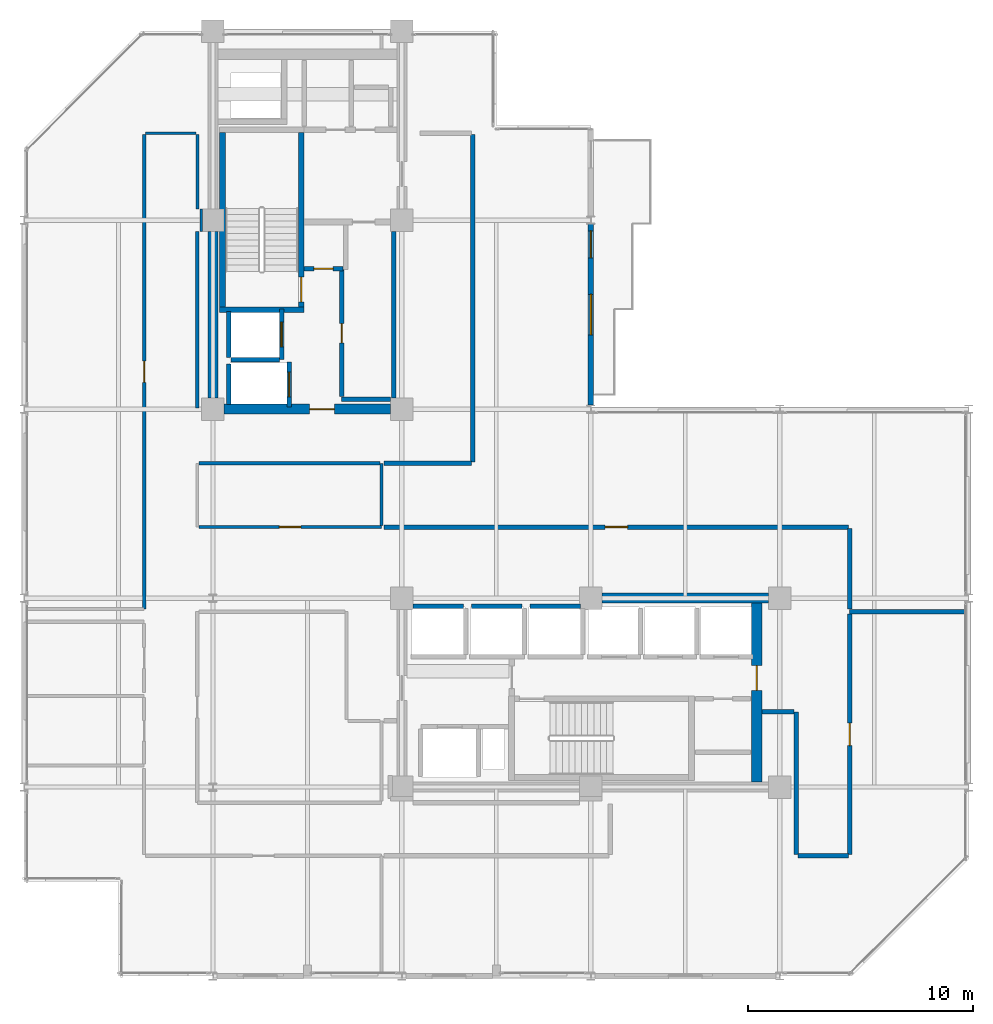
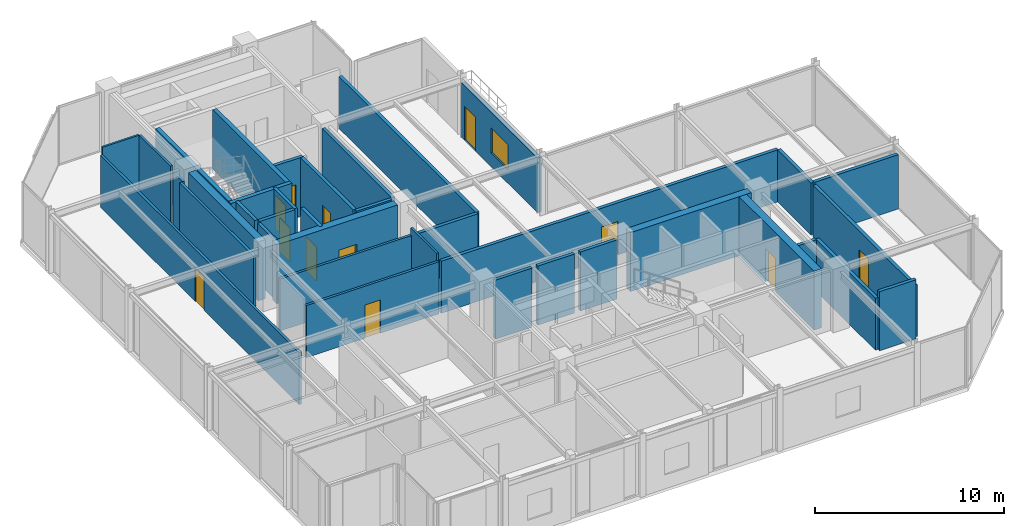
# One storey, part 21 of 25: 37 walls, 12 doors, 1 window, 13 openings.
"""IFC4 building model written with IfcOpenShell, lengths in metres."""

from ifc_helpers import new_model, si_unit, direction, frame, frame_2d, origin, place, context, subcontext, project, spatial, rectangle, extrude, material, layer, layer_set, type_object, element, fill, save


model = new_model("IFC4")

# Units and contexts
model_context = context("Model", 3, precision=1e-05, world=origin(), true_north=direction((0.0, 1.0)))
body_context = subcontext(model_context, "Body", "Model", "MODEL_VIEW")
ifc_project = project(units=[si_unit("LENGTHUNIT", "METRE"), si_unit("AREAUNIT", "SQUARE_METRE"), si_unit("VOLUMEUNIT", "CUBIC_METRE"), si_unit("PLANEANGLEUNIT", "RADIAN"), si_unit("MASSUNIT", "GRAM", prefix="KILO")], contexts=[model_context])

# Site, building, storey
site_placement = place(None, origin())
site = spatial("IfcSite", under=ifc_project, at=site_placement, CompositionType="ELEMENT")
building_placement = place(site_placement, origin())
building = spatial("IfcBuilding", under=site, at=building_placement, Name="Nerrivon Quay Data Exchange", CompositionType="ELEMENT")
storey_placement = place(building_placement, frame((0.0, 0.0, 224.699951171875)))
storey = spatial("IfcBuildingStorey", under=building, at=storey_placement, Name="L53", CompositionType="ELEMENT", Elevation=224.699951171875)

# Wall, openings, door, window
ifc_material_1 = material(Name="Architectural terracotta precast concrete N50 (50 MPa)", Category="masonry")
ifc_layer_1 = layer(ifc_material_1, 0.239990234375)
ifc_layer_set_1 = layer_set([ifc_layer_1], Name="Architectural terracotta precast concrete N50 (50 MPa)")
wall_type_1 = type_object("IfcWallType", Name="EW-PREC-240", PredefinedType="STANDARD", material=ifc_layer_set_1)
wall_1_placement = place(storey_placement, frame((25.199951171875, 33.425048828125, 0.0), z_axis=(0.0, 0.0, 1.0), x_axis=(0.0, -1.0, 0.0)))
wall_1 = element("IfcWall", 1, at=wall_1_placement, inside=storey, type_object=wall_type_1, Name="L53 Terrace Host Wall 23", PredefinedType="STANDARD", context=body_context, shape_type="SweptSolid", body=[
    extrude(rectangle(XDim=8.050048828125, YDim=0.239990234375, at=frame_2d((4.02490234375, 0.0))), origin(), (0.0, 0.0, 1.0), 3.525146484375),
])
opening_1_placement = place(wall_1_placement, frame((0.300048828125, 0.0, 0.0)))
opening_1 = element("IfcOpeningElement", 2, at=opening_1_placement, cuts=wall_1, Name="Opening TD1", PredefinedType="OPENING", context=body_context, shape_type="SweptSolid", body=[
    extrude(rectangle(XDim=1.199951171875, YDim=2.199951171875, at=frame_2d((0.60009765625, 1.10009765625))), frame((0.0, 0.1298828125, 0.0), z_axis=(0.0, -1.0, 0.0), x_axis=(1.0, 0.0, 0.0)), (0.0, 0.0, 1.0), 0.260009765625),
])
opening_2_placement = place(wall_1_placement, frame((3.125, 0.0, 0.89990234375)))
opening_2 = element("IfcOpeningElement", 3, at=opening_2_placement, cuts=wall_1, Name="Opening WN2", PredefinedType="OPENING", context=body_context, shape_type="SweptSolid", body=[
    extrude(rectangle(XDim=1.800048828125, YDim=1.60009765625, at=frame_2d((0.89990234375, 0.800048828125))), frame((0.0, 0.1298828125, 0.0), z_axis=(0.0, -1.0, 0.0), x_axis=(1.0, 0.0, 0.0)), (0.0, 0.0, 1.0), 0.260009765625),
])
ifc_material_2 = material(Name="Double-glazed low-E solar control glass", Category="glass")
door_type_1 = type_object("IfcDoorType", Name="DR-TERR-1200x2200", OperationType="NOTDEFINED", PredefinedType="DOOR", material=ifc_material_2)
door_1_placement = place(opening_1_placement, origin())
door_1 = element("IfcDoor", 4, at=door_1_placement, inside=storey, type_object=door_type_1, Name="L53 Outdoor Terrace Access Door 23", OperationType="SINGLE_SWING_RIGHT", OverallHeight=2.199951171875, OverallWidth=1.199951171875, PredefinedType="DOOR", context=body_context, shape_type="SweptSolid", body=[
    extrude(rectangle(XDim=1.199951171875, YDim=2.199951171875, at=frame_2d((0.60009765625, 1.10009765625))), frame((0.0, 0.02490234375, 0.0), z_axis=(0.0, -1.0, 0.0), x_axis=(1.0, 0.0, 0.0)), (0.0, 0.0, 1.0), 0.050048828125),
])
fill(opening_1, door_1)
window_type = type_object("IfcWindowType", Name="WIN-W2-1800x1600", PartitioningType="SINGLE_PANEL", PredefinedType="WINDOW", material=ifc_material_2)
window_placement = place(opening_2_placement, origin())
window = element("IfcWindow", 5, at=window_placement, inside=storey, type_object=window_type, Name="L53 Terrace Side Window 23", OverallHeight=1.60009765625, OverallWidth=1.800048828125, PartitioningType="SINGLE_PANEL", PredefinedType="WINDOW", context=body_context, shape_type="SweptSolid", body=[
    extrude(rectangle(XDim=1.800048828125, YDim=1.60009765625, at=frame_2d((0.89990234375, 0.800048828125))), frame((0.0, 0.030029296875, 0.0), z_axis=(0.0, -1.0, 0.0), x_axis=(1.0, 0.0, 0.0)), (0.0, 0.0, 1.0), 0.06005859375),
])
fill(opening_2, window)

# Wall
ifc_material_3 = material(Name="Concrete N50 (50 MPa)", Category="concrete")
ifc_layer_2 = layer(ifc_material_3, 0.449951171875)
ifc_layer_set_2 = layer_set([ifc_layer_2], Name="Concrete N50 (50 MPa)")
wall_type_2 = type_object("IfcWallType", Name="WALL-CW-550", PredefinedType="SHEAR", material=ifc_layer_set_2)
wall_2_placement = place(storey_placement, frame((8.39990234375, 25.699951171875, 0.0), z_axis=(0.0, 0.0, 1.0), x_axis=(0.0, 1.0, 0.0)))
element("IfcWall", 6, at=wall_2_placement, inside=storey, type_object=wall_type_2, Name="L53 West Split-Core Shear Wall WCW-W1", PredefinedType="SHEAR", context=body_context, shape_type="SweptSolid", body=[
    extrude(rectangle(XDim=7.400146484375, YDim=0.449951171875, at=frame_2d((3.7001953125, 0.0))), origin(), (0.0, 0.0, 1.0), 3.824951171875),
])

# Wall, opening, door
wall_3_placement = place(storey_placement, frame((8.89990234375, 25.199951171875, 0.0), z_axis=(0.0, 0.0, 1.0), x_axis=(1.0, 0.0, 0.0)))
wall_3 = element("IfcWall", 7, at=wall_3_placement, inside=storey, type_object=wall_type_2, Name="L53 West Split-Core Shear Wall WCW-S1", PredefinedType="SHEAR", context=body_context, shape_type="SweptSolid", body=[
    extrude(rectangle(XDim=7.400146484375, YDim=0.449951171875, at=frame_2d((3.7001953125, 0.0))), origin(), (0.0, 0.0, 1.0), 3.824951171875),
])
opening_3_placement = place(wall_3_placement, frame((3.800048828125, 0.0, 0.0)))
opening_3 = element("IfcOpeningElement", 8, at=opening_3_placement, cuts=wall_3, Name="Opening FD-120", PredefinedType="OPENING", context=body_context, shape_type="SweptSolid", body=[
    extrude(rectangle(XDim=1.10009765625, YDim=2.14990234375, at=frame_2d((0.550048828125, 1.074951171875))), frame((0.0, 0.23486328125, 0.0), z_axis=(0.0, -1.0, 0.0), x_axis=(1.0, 0.0, 0.0)), (0.0, 0.0, 1.0), 0.469970703125),
])
ifc_material_4 = material(Name="Powder-coated galvanized steel sheet", Category="steel")
door_type_2 = type_object("IfcDoorType", Name="DR-FD120-1100", OperationType="NOTDEFINED", PredefinedType="DOOR", material=ifc_material_4)
door_2_placement = place(opening_3_placement, origin())
door_2 = element("IfcDoor", 9, at=door_2_placement, inside=storey, type_object=door_type_2, Name="L53 West Core Lobby Fire Door", OperationType="SINGLE_SWING_RIGHT", OverallHeight=2.14990234375, OverallWidth=1.10009765625, PredefinedType="DOOR", context=body_context, shape_type="SweptSolid", body=[
    extrude(rectangle(XDim=1.10009765625, YDim=2.14990234375, at=frame_2d((0.550048828125, 1.074951171875))), frame((0.0, 0.02490234375, 0.0), z_axis=(0.0, -1.0, 0.0), x_axis=(1.0, 0.0, 0.0)), (0.0, 0.0, 1.0), 0.050048828125),
])
fill(opening_3, door_2)

wall_4_placement = place(storey_placement, frame((32.574951171875, 8.625, 0.0), z_axis=(0.0, 0.0, 1.0), x_axis=(0.0, 1.0, 0.0)))
wall_4 = element("IfcWall", 10, at=wall_4_placement, inside=storey, type_object=wall_type_2, Name="L53 East Split-Core Shear Wall ECW-E1", PredefinedType="SHEAR", context=body_context, shape_type="SweptSolid", body=[
    extrude(rectangle(XDim=7.949951171875, YDim=0.449951171875, at=frame_2d((3.97509765625, 0.0))), origin(), (0.0, 0.0, 1.0), 3.824951171875),
])
opening_4_placement = place(wall_4_placement, frame((4.074951171875, 0.0, 0.0)))
opening_4 = element("IfcOpeningElement", 11, at=opening_4_placement, cuts=wall_4, Name="Opening FD-120", PredefinedType="OPENING", context=body_context, shape_type="SweptSolid", body=[
    extrude(rectangle(XDim=1.10009765625, YDim=2.14990234375, at=frame_2d((0.550048828125, 1.074951171875))), frame((0.0, 0.23486328125, 0.0), z_axis=(0.0, -1.0, 0.0), x_axis=(1.0, 0.0, 0.0)), (0.0, 0.0, 1.0), 0.469970703125),
])
door_3_placement = place(opening_4_placement, origin())
door_3 = element("IfcDoor", 12, at=door_3_placement, inside=storey, type_object=door_type_2, Name="L53 East Core Lobby Fire Door", OperationType="SINGLE_SWING_LEFT", OverallHeight=2.14990234375, OverallWidth=1.10009765625, PredefinedType="DOOR", context=body_context, shape_type="SweptSolid", body=[
    extrude(rectangle(XDim=1.10009765625, YDim=2.14990234375, at=frame_2d((0.550048828125, 1.074951171875))), frame((0.0, 0.02490234375, 0.0), z_axis=(0.0, -1.0, 0.0), x_axis=(1.0, 0.0, 0.0)), (0.0, 0.0, 1.0), 0.050048828125),
])
fill(opening_4, door_3)

# Wall
wall_5_placement = place(storey_placement, frame((25.699951171875, 16.800048828125, 0.0), z_axis=(0.0, 0.0, 1.0), x_axis=(1.0, 0.0, 0.0)))
element("IfcWall", 13, at=wall_5_placement, inside=storey, type_object=wall_type_2, Name="L53 East Split-Core Shear Wall ECW-N1", PredefinedType="SHEAR", context=body_context, shape_type="SweptSolid", body=[
    extrude(rectangle(XDim=7.400146484375, YDim=0.449951171875, at=frame_2d((3.7001953125, 0.0))), origin(), (0.0, 0.0, 1.0), 3.824951171875),
])

# Wall, opening, door
ifc_material_5 = material(Name="Gypsum plasterboard on cold-formed framing", Category="gypsum")
ifc_layer_3 = layer(ifc_material_5, 0.199951171875)
ifc_layer_set_3 = layer_set([ifc_layer_3], Name="Gypsum plasterboard on cold-formed framing")
wall_type_3 = type_object("IfcWallType", Name="WALL-FW-200", PredefinedType="PARTITIONING", material=ifc_layer_set_3)
wall_6_placement = place(storey_placement, frame((11.449951171875, 27.39990234375, 0.0), z_axis=(0.0, 0.0, 1.0), x_axis=(0.0, 1.0, 0.0)))
wall_6 = element("IfcWall", 14, at=wall_6_placement, inside=storey, type_object=wall_type_3, Name="L53 Lift Front Wall FFL-1", PredefinedType="PARTITIONING", context=body_context, shape_type="SweptSolid", body=[
    extrude(rectangle(XDim=2.25, YDim=0.199951171875, at=frame_2d((1.125, 0.0))), origin(), (0.0, 0.0, 1.0), 3.824951171875),
])
opening_5_placement = place(wall_6_placement, frame((0.574951171875, 0.0, 0.0)))
opening_5 = element("IfcOpeningElement", 15, at=opening_5_placement, cuts=wall_6, Name="Opening LD-120", PredefinedType="OPENING", context=body_context, shape_type="SweptSolid", body=[
    extrude(rectangle(XDim=1.10009765625, YDim=2.199951171875, at=frame_2d((0.550048828125, 1.10009765625))), frame((0.0, 0.10986328125, 0.0), z_axis=(0.0, -1.0, 0.0), x_axis=(1.0, 0.0, 0.0)), (0.0, 0.0, 1.0), 0.219970703125),
])
door_type_3 = type_object("IfcDoorType", Name="DR-LIFT-LD120", OperationType="DOUBLE_DOOR_SLIDING", PredefinedType="DOOR", material=ifc_material_4)
door_4_placement = place(opening_5_placement, origin())
door_4 = element("IfcDoor", 16, at=door_4_placement, inside=storey, type_object=door_type_3, Name="L53 Lift Landing Sliding Door FFL-1", OperationType="DOUBLE_DOOR_SLIDING", OverallHeight=2.199951171875, OverallWidth=1.10009765625, PredefinedType="DOOR", context=body_context, shape_type="SweptSolid", body=[
    extrude(rectangle(XDim=1.10009765625, YDim=2.199951171875, at=frame_2d((0.550048828125, 1.10009765625))), frame((0.0, 0.02490234375, 0.0), z_axis=(0.0, -1.0, 0.0), x_axis=(1.0, 0.0, 0.0)), (0.0, 0.0, 1.0), 0.050048828125),
])
fill(opening_5, door_4)

# Walls
wall_7_placement = place(storey_placement, frame((9.10009765625, 27.5, 0.0), z_axis=(0.0, 0.0, 1.0), x_axis=(0.0, 1.0, 0.0)))
element("IfcWall", 17, at=wall_7_placement, inside=storey, type_object=wall_type_3, Name="L53 Lift Shaft Wall FFL-1 WEST", PredefinedType="PARTITIONING", context=body_context, shape_type="SweptSolid", body=[
    extrude(rectangle(XDim=2.050048828125, YDim=0.199951171875, at=frame_2d((1.02490234375, 0.0))), origin(), (0.0, 0.0, 1.0), 3.824951171875),
])
wall_8_placement = place(storey_placement, frame((9.199951171875, 27.39990234375, 0.0), z_axis=(0.0, 0.0, 1.0), x_axis=(1.0, 0.0, 0.0)))
element("IfcWall", 18, at=wall_8_placement, inside=storey, type_object=wall_type_3, Name="L53 Lift Shaft Wall FFL-1 SOUTH", PredefinedType="PARTITIONING", context=body_context, shape_type="SweptSolid", body=[
    extrude(rectangle(XDim=2.150146484375, YDim=0.199951171875, at=frame_2d((1.0751953125, 0.0))), origin(), (0.0, 0.0, 1.0), 3.824951171875),
])

# Wall, opening, door
wall_9_placement = place(storey_placement, frame((11.800048828125, 25.300048828125, 0.0), z_axis=(0.0, 0.0, 1.0), x_axis=(0.0, 1.0, 0.0)))
wall_9 = element("IfcWall", 19, at=wall_9_placement, inside=storey, type_object=wall_type_3, Name="L53 Lift Front Wall SVL-1", PredefinedType="PARTITIONING", context=body_context, shape_type="SweptSolid", body=[
    extrude(rectangle(XDim=2.0, YDim=0.199951171875, at=frame_2d((1.0, 0.0))), origin(), (0.0, 0.0, 1.0), 3.824951171875),
])
opening_6_placement = place(wall_9_placement, frame((0.449951171875, 0.0, 0.0)))
opening_6 = element("IfcOpeningElement", 20, at=opening_6_placement, cuts=wall_9, Name="Opening LD-120", PredefinedType="OPENING", context=body_context, shape_type="SweptSolid", body=[
    extrude(rectangle(XDim=1.10009765625, YDim=2.199951171875, at=frame_2d((0.550048828125, 1.10009765625))), frame((0.0, 0.10986328125, 0.0), z_axis=(0.0, -1.0, 0.0), x_axis=(1.0, 0.0, 0.0)), (0.0, 0.0, 1.0), 0.219970703125),
])
door_5_placement = place(opening_6_placement, origin())
door_5 = element("IfcDoor", 21, at=door_5_placement, inside=storey, type_object=door_type_3, Name="L53 Lift Landing Sliding Door SVL-1", OperationType="DOUBLE_DOOR_SLIDING", OverallHeight=2.199951171875, OverallWidth=1.10009765625, PredefinedType="DOOR", context=body_context, shape_type="SweptSolid", body=[
    extrude(rectangle(XDim=1.10009765625, YDim=2.199951171875, at=frame_2d((0.550048828125, 1.10009765625))), frame((0.0, 0.02490234375, 0.0), z_axis=(0.0, -1.0, 0.0), x_axis=(1.0, 0.0, 0.0)), (0.0, 0.0, 1.0), 0.050048828125),
])
fill(opening_6, door_5)

# Walls
wall_10_placement = place(storey_placement, frame((9.10009765625, 25.39990234375, 0.0), z_axis=(0.0, 0.0, 1.0), x_axis=(0.0, 1.0, 0.0)))
element("IfcWall", 22, at=wall_10_placement, inside=storey, type_object=wall_type_3, Name="L53 Lift Shaft Wall SVL-1 WEST", PredefinedType="PARTITIONING", context=body_context, shape_type="SweptSolid", body=[
    extrude(rectangle(XDim=1.800048828125, YDim=0.199951171875, at=frame_2d((0.89990234375, 0.0))), origin(), (0.0, 0.0, 1.0), 3.824951171875),
])
for number, where, z_axis, x_axis, name in (
    (23, (17.300048828125, 16.449951171875, 0.0), (0.0, 0.0, 1.0), (1.0, 0.0, 0.0), "L53 Lift Shaft Wall PL4 NORTH"),
    (24, (19.89990234375, 16.449951171875, 0.0), (0.0, 0.0, 1.0), (1.0, 0.0, 0.0), "L53 Lift Shaft Wall PL5 NORTH"),
    (25, (22.5, 16.449951171875, 0.0), (0.0, 0.0, 1.0), (1.0, 0.0, 0.0), "L53 Lift Shaft Wall PL6 NORTH"),
):
    element("IfcWall", number, at=place(storey_placement, frame(where, z_axis=z_axis, x_axis=x_axis)), inside=storey, type_object=wall_type_3, Name=name, PredefinedType="PARTITIONING", context=body_context, shape_type="SweptSolid", body=[
        extrude(rectangle(XDim=2.25, YDim=0.199951171875, at=frame_2d((1.125, 0.0))), origin(), (0.0, 0.0, 1.0), 3.824951171875),
    ])
wall_11_placement = place(storey_placement, frame((14.1201171875, 25.64990234375, 0.0), z_axis=(0.0, 0.0, 1.0), x_axis=(1.0, 0.0, 0.0)))
element("IfcWall", 26, at=wall_11_placement, inside=storey, type_object=wall_type_3, Name="L53 Partition Core Equipment Store", PredefinedType="PARTITIONING", context=body_context, shape_type="SweptSolid", body=[
    extrude(rectangle(XDim=2.1748046875, YDim=0.199951171875, at=frame_2d((1.08740234375, 0.0))), origin(), (0.0, 0.0, 1.0), 3.824951171875),
])
wall_12_placement = place(storey_placement, frame((16.449951171875, 25.705078125, 0.0), z_axis=(0.0, 0.0, 1.0), x_axis=(0.0, 1.0, 0.0)))
element("IfcWall", 27, at=wall_12_placement, inside=storey, type_object=wall_type_3, Name="L53 Partition Core Equipment Store", PredefinedType="PARTITIONING", context=body_context, shape_type="SweptSolid", body=[
    extrude(rectangle(XDim=7.389892578125, YDim=0.199951171875, at=frame_2d((3.69482421875, 0.0))), origin(), (0.0, 0.0, 1.0), 3.824951171875),
])

# Wall, opening, door
wall_13_placement = place(storey_placement, frame((14.1201171875, 31.39990234375, 0.0), z_axis=(0.0, 0.0, 1.0), x_axis=(0.0, -1.0, 0.0)))
wall_13 = element("IfcWall", 28, at=wall_13_placement, inside=storey, type_object=wall_type_3, Name="L53 Partition Core Equipment Store", PredefinedType="PARTITIONING", context=body_context, shape_type="SweptSolid", body=[
    extrude(rectangle(XDim=5.64599609375, YDim=0.199951171875, at=frame_2d((2.822998046875, 0.0))), origin(), (0.0, 0.0, 1.0), 3.824951171875),
])
opening_7_placement = place(wall_13_placement, frame((2.39794921875, 0.0, 0.0)))
opening_7 = element("IfcOpeningElement", 29, at=opening_7_placement, cuts=wall_13, Name="Opening FD-60S", PredefinedType="OPENING", context=body_context, shape_type="SweptSolid", body=[
    extrude(rectangle(XDim=0.85009765625, YDim=2.14990234375, at=frame_2d((0.425048828125, 1.074951171875))), frame((0.0, 0.10986328125, 0.0), z_axis=(0.0, -1.0, 0.0), x_axis=(1.0, 0.0, 0.0)), (0.0, 0.0, 1.0), 0.219970703125),
])
ifc_material_6 = material(Name="Engineered hardwood timber", Category="wood")
door_type_4 = type_object("IfcDoorType", Name="DR-FD60-850", OperationType="NOTDEFINED", PredefinedType="DOOR", material=ifc_material_6)
door_6_placement = place(opening_7_placement, origin())
door_6 = element("IfcDoor", 30, at=door_6_placement, inside=storey, type_object=door_type_4, Name="L53 Door Core Equipment Store", OperationType="SINGLE_SWING_LEFT", OverallHeight=2.14990234375, OverallWidth=0.85009765625, PredefinedType="DOOR", context=body_context, shape_type="SweptSolid", body=[
    extrude(rectangle(XDim=0.85009765625, YDim=2.14990234375, at=frame_2d((0.425048828125, 1.074951171875))), frame((0.0, 0.02490234375, 0.0), z_axis=(0.0, -1.0, 0.0), x_axis=(1.0, 0.0, 0.0)), (0.0, 0.0, 1.0), 0.050048828125),
])
fill(opening_7, door_6)

wall_14_placement = place(storey_placement, frame((12.4541015625, 31.43994140625, 0.0), z_axis=(0.0, 0.0, 1.0), x_axis=(1.0, 0.0, 0.0)))
wall_14 = element("IfcWall", 31, at=wall_14_placement, inside=storey, type_object=wall_type_3, Name="L53 Partition Optical Patch Closet", PredefinedType="PARTITIONING", context=body_context, shape_type="SweptSolid", body=[
    extrude(rectangle(XDim=1.725830078125, YDim=0.199951171875, at=frame_2d((0.86279296875, 0.0))), origin(), (0.0, 0.0, 1.0), 3.824951171875),
])
opening_8_placement = place(wall_14_placement, frame((0.43798828125, 0.0, 0.0)))
opening_8 = element("IfcOpeningElement", 32, at=opening_8_placement, cuts=wall_14, Name="Opening FD-60S", PredefinedType="OPENING", context=body_context, shape_type="SweptSolid", body=[
    extrude(rectangle(XDim=0.85009765625, YDim=2.14990234375, at=frame_2d((0.425048828125, 1.074951171875))), frame((0.0, 0.10986328125, 0.0), z_axis=(0.0, -1.0, 0.0), x_axis=(1.0, 0.0, 0.0)), (0.0, 0.0, 1.0), 0.219970703125),
])
door_7_placement = place(opening_8_placement, origin())
door_7 = element("IfcDoor", 33, at=door_7_placement, inside=storey, type_object=door_type_4, Name="L53 Door Optical Patch Closet", OperationType="SINGLE_SWING_RIGHT", OverallHeight=2.14990234375, OverallWidth=0.85009765625, PredefinedType="DOOR", context=body_context, shape_type="SweptSolid", body=[
    extrude(rectangle(XDim=0.85009765625, YDim=2.14990234375, at=frame_2d((0.425048828125, 1.074951171875))), frame((0.0, 0.02490234375, 0.0), z_axis=(0.0, -1.0, 0.0), x_axis=(1.0, 0.0, 0.0)), (0.0, 0.0, 1.0), 0.050048828125),
])
fill(opening_8, door_7)

# Wall
wall_15_placement = place(storey_placement, frame((41.8310546875, 16.20068359375, 0.0), z_axis=(0.0, 0.0, 1.0), x_axis=(-1.0, 0.0, 0.0)))
element("IfcWall", 34, at=wall_15_placement, inside=storey, type_object=wall_type_3, Name="L53 Partition Colocation Data Workspace 1", PredefinedType="PARTITIONING", context=body_context, shape_type="SweptSolid", body=[
    extrude(rectangle(XDim=5.12109375, YDim=0.199951171875, at=frame_2d((2.560546875, 0.0))), origin(), (0.0, 0.0, 1.0), 3.51806640625),
])

# Wall, opening, door
wall_16_placement = place(storey_placement, frame((36.7099609375, 16.0966796875, 0.0), z_axis=(0.0, 0.0, 1.0), x_axis=(0.0, -1.0, 0.0)))
wall_16 = element("IfcWall", 35, at=wall_16_placement, inside=storey, type_object=wall_type_3, Name="L53 Partition Colocation Data Workspace 1", PredefinedType="PARTITIONING", context=body_context, shape_type="SweptSolid", body=[
    extrude(rectangle(XDim=10.69677734375, YDim=0.199951171875, at=frame_2d((5.348388671875, 0.0))), origin(), (0.0, 0.0, 1.0), 3.364990234375),
])
opening_9_placement = place(wall_16_placement, frame((4.848388671875, 0.0, 0.0)))
opening_9 = element("IfcOpeningElement", 36, at=opening_9_placement, cuts=wall_16, Name="Opening FD-60", PredefinedType="OPENING", context=body_context, shape_type="SweptSolid", body=[
    extrude(rectangle(XDim=1.0, YDim=2.14990234375, at=frame_2d((0.5, 1.074951171875))), frame((0.0, 0.10986328125, 0.0), z_axis=(0.0, -1.0, 0.0), x_axis=(1.0, 0.0, 0.0)), (0.0, 0.0, 1.0), 0.219970703125),
])
door_type_5 = type_object("IfcDoorType", Name="DR-FD60-1000", OperationType="NOTDEFINED", PredefinedType="DOOR", material=ifc_material_6)
door_8_placement = place(opening_9_placement, origin())
door_8 = element("IfcDoor", 37, at=door_8_placement, inside=storey, type_object=door_type_5, Name="L53 Door Colocation Data Workspace 1", OperationType="SINGLE_SWING_RIGHT", OverallHeight=2.14990234375, OverallWidth=1.0, PredefinedType="DOOR", context=body_context, shape_type="SweptSolid", body=[
    extrude(rectangle(XDim=1.0, YDim=2.14990234375, at=frame_2d((0.5, 1.074951171875))), frame((0.0, 0.02490234375, 0.0), z_axis=(0.0, -1.0, 0.0), x_axis=(1.0, 0.0, 0.0)), (0.0, 0.0, 1.0), 0.050048828125),
])
fill(opening_9, door_8)

# Walls
wall_17_placement = place(storey_placement, frame((36.64990234375, 5.340087890625, 0.0), z_axis=(0.0, 0.0, 1.0), x_axis=(-1.0, 0.0, 0.0)))
element("IfcWall", 38, at=wall_17_placement, inside=storey, type_object=wall_type_3, Name="L53 Partition Colocation Data Workspace 1", PredefinedType="PARTITIONING", context=body_context, shape_type="SweptSolid", body=[
    extrude(rectangle(XDim=2.25, YDim=0.199951171875, at=frame_2d((1.125, 0.0))), origin(), (0.0, 0.0, 1.0), 3.824951171875),
])
wall_18_placement = place(storey_placement, frame((34.340087890625, 5.39990234375, 0.0), z_axis=(0.0, 0.0, 1.0), x_axis=(0.0, 1.0, 0.0)))
element("IfcWall", 39, at=wall_18_placement, inside=storey, type_object=wall_type_3, Name="L53 Partition Colocation Data Workspace 1", PredefinedType="PARTITIONING", context=body_context, shape_type="SweptSolid", body=[
    extrude(rectangle(XDim=6.340087890625, YDim=0.199951171875, at=frame_2d((3.169921875, 0.0))), origin(), (0.0, 0.0, 1.0), 3.364990234375),
])
wall_19_placement = place(storey_placement, frame((34.236083984375, 11.739990234375, 0.0), z_axis=(0.0, 0.0, 1.0), x_axis=(-1.0, 0.0, 0.0)))
element("IfcWall", 40, at=wall_19_placement, inside=storey, type_object=wall_type_3, Name="L53 Partition Colocation Data Workspace 1", PredefinedType="PARTITIONING", context=body_context, shape_type="SweptSolid", body=[
    extrude(rectangle(XDim=1.43212890625, YDim=0.199951171875, at=frame_2d((0.716064453125, 0.0))), origin(), (0.0, 0.0, 1.0), 3.37109375),
])
wall_20_placement = place(storey_placement, frame((36.7099609375, 19.89990234375, 0.0), z_axis=(0.0, 0.0, 1.0), x_axis=(0.0, -1.0, 0.0)))
element("IfcWall", 41, at=wall_20_placement, inside=storey, type_object=wall_type_3, Name="L53 Partition Colocation Data Workspace 6", PredefinedType="PARTITIONING", context=body_context, shape_type="SweptSolid", body=[
    extrude(rectangle(XDim=3.5791015625, YDim=0.199951171875, at=frame_2d((1.78955078125, 0.0))), origin(), (0.0, 0.0, 1.0), 3.364990234375),
])
wall_21_placement = place(storey_placement, frame((19.9599609375, 37.39990234375, 0.0), z_axis=(0.0, 0.0, 1.0), x_axis=(0.0, -1.0, 0.0)))
element("IfcWall", 42, at=wall_21_placement, inside=storey, type_object=wall_type_3, Name="L53 Partition Colocation Data Workspace 6", PredefinedType="PARTITIONING", context=body_context, shape_type="SweptSolid", body=[
    extrude(rectangle(XDim=14.5498046875, YDim=0.199951171875, at=frame_2d((7.27490234375, 0.0))), origin(), (0.0, 0.0, 1.0), 3.364990234375),
])
wall_22_placement = place(storey_placement, frame((19.89990234375, 22.7900390625, 0.0), z_axis=(0.0, 0.0, 1.0), x_axis=(-1.0, 0.0, 0.0)))
element("IfcWall", 43, at=wall_22_placement, inside=storey, type_object=wall_type_3, Name="L53 Partition Colocation Data Workspace 6", PredefinedType="PARTITIONING", context=body_context, shape_type="SweptSolid", body=[
    extrude(rectangle(XDim=3.88525390625, YDim=0.199951171875, at=frame_2d((1.942626953125, 0.0))), origin(), (0.0, 0.0, 1.0), 3.37109375),
])

# Wall, opening, door
wall_23_placement = place(storey_placement, frame((16.0146484375, 19.9599609375, 0.0), z_axis=(0.0, 0.0, 1.0), x_axis=(1.0, 0.0, 0.0)))
wall_23 = element("IfcWall", 44, at=wall_23_placement, inside=storey, type_object=wall_type_3, Name="L53 Partition Colocation Data Workspace 6", PredefinedType="PARTITIONING", context=body_context, shape_type="SweptSolid", body=[
    extrude(rectangle(XDim=20.63525390625, YDim=0.199951171875, at=frame_2d((10.317626953125, 0.0))), origin(), (0.0, 0.0, 1.0), 3.37109375),
])
opening_10_placement = place(wall_23_placement, frame((9.817626953125, 0.0, 0.0)))
opening_10 = element("IfcOpeningElement", 45, at=opening_10_placement, cuts=wall_23, Name="Opening FD-60", PredefinedType="OPENING", context=body_context, shape_type="SweptSolid", body=[
    extrude(rectangle(XDim=1.0, YDim=2.14990234375, at=frame_2d((0.5, 1.074951171875))), frame((0.0, 0.10986328125, 0.0), z_axis=(0.0, -1.0, 0.0), x_axis=(1.0, 0.0, 0.0)), (0.0, 0.0, 1.0), 0.219970703125),
])
door_9_placement = place(opening_10_placement, origin())
door_9 = element("IfcDoor", 46, at=door_9_placement, inside=storey, type_object=door_type_5, Name="L53 Door Colocation Data Workspace 6", OperationType="SINGLE_SWING_LEFT", OverallHeight=2.14990234375, OverallWidth=1.0, PredefinedType="DOOR", context=body_context, shape_type="SweptSolid", body=[
    extrude(rectangle(XDim=1.0, YDim=2.14990234375, at=frame_2d((0.5, 1.074951171875))), frame((0.0, 0.02490234375, 0.0), z_axis=(0.0, -1.0, 0.0), x_axis=(1.0, 0.0, 0.0)), (0.0, 0.0, 1.0), 0.050048828125),
])
fill(opening_10, door_9)

# Walls
ifc_layer_4 = layer(ifc_material_5, 0.1201171875)
ifc_layer_set_4 = layer_set([ifc_layer_4], Name="Gypsum plasterboard on cold-formed framing")
wall_type_4 = type_object("IfcWallType", Name="WALL-PT-120", PredefinedType="PARTITIONING", material=ifc_layer_set_4)
wall_24_placement = place(storey_placement, frame((15.89453125, 20.0390625, 0.0), z_axis=(0.0, 0.0, 1.0), x_axis=(0.0, 1.0, 0.0)))
element("IfcWall", 47, at=wall_24_placement, inside=storey, type_object=wall_type_4, Name="L53 Partition Staff Pantry", PredefinedType="PARTITIONING", context=body_context, shape_type="SweptSolid", body=[
    extrude(rectangle(XDim=2.7509765625, YDim=0.1201171875, at=frame_2d((1.37548828125, 0.0))), origin(), (0.0, 0.0, 1.0), 3.824951171875),
])
wall_25_placement = place(storey_placement, frame((7.880859375, 33.09423828125, 0.0), z_axis=(0.0, 0.0, 1.0), x_axis=(-0.000970873329, 0.999999528702, 0.0)))
element("IfcWall", 48, at=wall_25_placement, inside=storey, type_object=wall_type_4, Name="L53 Partition Technical Library", PredefinedType="PARTITIONING", context=body_context, shape_type="SweptSolid", body=[
    extrude(rectangle(XDim=1.005859375, YDim=0.1201171875, at=frame_2d((0.5029296875, 0.0))), origin(), (0.0, 0.0, 1.0), 3.364990234375),
])
wall_26_placement = place(storey_placement, frame((5.39990234375, 37.4599609375, 0.0), z_axis=(0.0, 0.0, 1.0), x_axis=(1.0, 0.0, 0.0)))
element("IfcWall", 49, at=wall_26_placement, inside=storey, type_object=wall_type_4, Name="L53 Partition Technical Library", PredefinedType="PARTITIONING", context=body_context, shape_type="SweptSolid", body=[
    extrude(rectangle(XDim=2.25, YDim=0.1201171875, at=frame_2d((1.125, 0.0))), origin(), (0.0, 0.0, 1.0), 3.824951171875),
])
ifc_layer_5 = layer(ifc_material_5, 0.135009765625)
ifc_layer_set_5 = layer_set([ifc_layer_5], Name="Gypsum plasterboard on cold-formed framing")
wall_type_5 = type_object("IfcWallType", Name="WALL-PT-135", PredefinedType="PARTITIONING", material=ifc_layer_set_5)
wall_27_placement = place(storey_placement, frame((7.7099609375, 37.39990234375, 0.0), z_axis=(0.0, 0.0, 1.0), x_axis=(0.0, -1.0, 0.0)))
element("IfcWall", 50, at=wall_27_placement, inside=storey, type_object=wall_type_5, Name="L53 Partition Technical Library", PredefinedType="PARTITIONING", context=body_context, shape_type="SweptSolid", body=[
    extrude(rectangle(XDim=3.300048828125, YDim=0.135009765625, at=frame_2d((1.64990234375, 0.0))), origin(), (0.0, 0.0, 1.0), 3.824951171875),
])

# Wall, opening, door
ifc_layer_6 = layer(ifc_material_5, 0.14990234375)
ifc_layer_set_6 = layer_set([ifc_layer_6], Name="Gypsum plasterboard on cold-formed framing")
wall_type_6 = type_object("IfcWallType", Name="WALL-PT-150", PredefinedType="PARTITIONING", material=ifc_layer_set_6)
wall_28_placement = place(storey_placement, frame((7.77392578125, 19.9599609375, 0.0), z_axis=(0.0, 0.0, 1.0), x_axis=(1.0, 0.0, 0.0)))
wall_28 = element("IfcWall", 51, at=wall_28_placement, inside=storey, type_object=wall_type_6, Name="L53 Partition Staff Pantry", PredefinedType="PARTITIONING", context=body_context, shape_type="SweptSolid", body=[
    extrude(rectangle(XDim=8.12060546875, YDim=0.14990234375, at=frame_2d((4.060302734375, 0.0))), origin(), (0.0, 0.0, 1.0), 3.37109375),
])
opening_11_placement = place(wall_28_placement, frame((3.585205078125, 0.0, 0.0)))
opening_11 = element("IfcOpeningElement", 52, at=opening_11_placement, cuts=wall_28, Name="Opening D-01", PredefinedType="OPENING", context=body_context, shape_type="SweptSolid", body=[
    extrude(rectangle(XDim=0.949951171875, YDim=2.14990234375, at=frame_2d((0.47509765625, 1.074951171875))), frame((0.0, 0.0849609375, 0.0), z_axis=(0.0, -1.0, 0.0), x_axis=(1.0, 0.0, 0.0)), (0.0, 0.0, 1.0), 0.169921875),
])
door_type_6 = type_object("IfcDoorType", Name="DR-INT-950", OperationType="NOTDEFINED", PredefinedType="DOOR", material=ifc_material_6)
door_10_placement = place(opening_11_placement, origin())
door_10 = element("IfcDoor", 53, at=door_10_placement, inside=storey, type_object=door_type_6, Name="L53 Door Staff Pantry", OperationType="SINGLE_SWING_RIGHT", OverallHeight=2.14990234375, OverallWidth=0.949951171875, PredefinedType="DOOR", context=body_context, shape_type="SweptSolid", body=[
    extrude(rectangle(XDim=0.949951171875, YDim=2.14990234375, at=frame_2d((0.47509765625, 1.074951171875))), frame((0.0, 0.02490234375, 0.0), z_axis=(0.0, -1.0, 0.0), x_axis=(1.0, 0.0, 0.0)), (0.0, 0.0, 1.0), 0.050048828125),
])
fill(opening_11, door_10)

# Wall
wall_29_placement = place(storey_placement, frame((15.83056640625, 22.7900390625, 0.0), z_axis=(0.0, 0.0, 1.0), x_axis=(-1.0, 0.0, 0.0)))
element("IfcWall", 54, at=wall_29_placement, inside=storey, type_object=wall_type_6, Name="L53 Partition Staff Pantry", PredefinedType="PARTITIONING", context=body_context, shape_type="SweptSolid", body=[
    extrude(rectangle(XDim=8.056640625, YDim=0.14990234375, at=frame_2d((4.0283203125, 0.0))), origin(), (0.0, 0.0, 1.0), 3.37109375),
])

# Wall, opening, door
wall_30_placement = place(storey_placement, frame((5.340087890625, 16.32080078125, 0.0), z_axis=(0.0, 0.0, 1.0), x_axis=(1.1578765e-05, 0.999999999933, 0.0)))
wall_30 = element("IfcWall", 55, at=wall_30_placement, inside=storey, type_object=wall_type_6, Name="L53 Partition Technical Library", PredefinedType="PARTITIONING", context=body_context, shape_type="SweptSolid", body=[
    extrude(rectangle(XDim=21.085205078125, YDim=0.14990234375, at=frame_2d((10.54248046875, 0.0))), origin(), (0.0, 0.0, 1.0), 3.364990234375),
])
opening_12_placement = place(wall_30_placement, frame((10.067626953125, 0.0, 0.0)))
opening_12 = element("IfcOpeningElement", 56, at=opening_12_placement, cuts=wall_30, Name="Opening D-01", PredefinedType="OPENING", context=body_context, shape_type="SweptSolid", body=[
    extrude(rectangle(XDim=0.949951171875, YDim=2.14990234375, at=frame_2d((0.47509765625, 1.074951171875))), frame((0.0, 0.0849609375, 0.0), z_axis=(0.0, -1.0, 0.0), x_axis=(1.0, 0.0, 0.0)), (0.0, 0.0, 1.0), 0.169921875),
])
door_11_placement = place(opening_12_placement, origin())
door_11 = element("IfcDoor", 57, at=door_11_placement, inside=storey, type_object=door_type_6, Name="L53 Door Technical Library", OperationType="SINGLE_SWING_LEFT", OverallHeight=2.14990234375, OverallWidth=0.949951171875, PredefinedType="DOOR", context=body_context, shape_type="SweptSolid", body=[
    extrude(rectangle(XDim=0.949951171875, YDim=2.14990234375, at=frame_2d((0.47509765625, 1.074951171875))), frame((0.0, 0.02490234375, 0.0), z_axis=(0.0, -1.0, 0.0), x_axis=(1.0, 0.0, 0.0)), (0.0, 0.0, 1.0), 0.050048828125),
])
fill(opening_12, door_11)

# Walls
wall_31_placement = place(storey_placement, frame((7.7099609375, 33.093994140625, 0.0), z_axis=(0.0, 0.0, 1.0), x_axis=(0.0, -1.0, 0.0)))
element("IfcWall", 58, at=wall_31_placement, inside=storey, type_object=wall_type_6, Name="L53 Partition Technical Library", PredefinedType="PARTITIONING", context=body_context, shape_type="SweptSolid", body=[
    extrude(rectangle(XDim=7.833984375, YDim=0.14990234375, at=frame_2d((3.9169921875, 0.0))), origin(), (0.0, 0.0, 1.0), 3.364990234375),
])
ifc_layer_7 = layer(ifc_material_3, 0.25)
ifc_layer_set_7 = layer_set([ifc_layer_7], Name="Concrete N50 (50 MPa)")
wall_type_7 = type_object("IfcWallType", Name="WALL-SW-250", PredefinedType="SHEAR", material=ifc_layer_set_7)
wall_32_placement = place(storey_placement, frame((12.449951171875, 29.625, 0.0), z_axis=(0.0, 0.0, 1.0), x_axis=(-1.0, 0.0, 0.0)))
element("IfcWall", 59, at=wall_32_placement, inside=storey, type_object=wall_type_7, Name="L53 ST01 Structural Stair Core Wall NEAR", PredefinedType="SHEAR", context=body_context, shape_type="SweptSolid", body=[
    extrude(rectangle(XDim=3.75, YDim=0.25, at=frame_2d((1.875, 0.0))), origin(), (0.0, 0.0, 1.0), 3.824951171875),
])

# Wall, opening, door
wall_33_placement = place(storey_placement, frame((12.324951171875, 29.75, 0.0), z_axis=(0.0, 0.0, 1.0), x_axis=(0.0, 1.0, 0.0)))
wall_33 = element("IfcWall", 60, at=wall_33_placement, inside=storey, type_object=wall_type_7, Name="L53 ST01 Structural Stair Core Wall LEFT", PredefinedType="SHEAR", context=body_context, shape_type="SweptSolid", body=[
    extrude(rectangle(XDim=7.75, YDim=0.25, at=frame_2d((3.875, 0.0))), origin(), (0.0, 0.0, 1.0), 3.824951171875),
])
opening_13_placement = place(wall_33_placement, frame((0.219970703125, 0.0, 0.0)))
opening_13 = element("IfcOpeningElement", 61, at=opening_13_placement, cuts=wall_33, Name="Opening FD-120", PredefinedType="OPENING", context=body_context, shape_type="SweptSolid", body=[
    extrude(rectangle(XDim=1.10009765625, YDim=2.14990234375, at=frame_2d((0.550048828125, 1.074951171875))), frame((0.0, 0.135009765625, 0.0), z_axis=(0.0, -1.0, 0.0), x_axis=(1.0, 0.0, 0.0)), (0.0, 0.0, 1.0), 0.27001953125),
])
door_12_placement = place(opening_13_placement, origin())
door_12 = element("IfcDoor", 62, at=door_12_placement, inside=storey, type_object=door_type_2, Name="L53 Protected Stair Door ST01", OperationType="SINGLE_SWING_LEFT", OverallHeight=2.14990234375, OverallWidth=1.10009765625, PredefinedType="DOOR", context=body_context, shape_type="SweptSolid", body=[
    extrude(rectangle(XDim=1.10009765625, YDim=2.14990234375, at=frame_2d((0.550048828125, 1.074951171875))), frame((0.0, 0.02490234375, 0.0), z_axis=(0.0, -1.0, 0.0), x_axis=(1.0, 0.0, 0.0)), (0.0, 0.0, 1.0), 0.050048828125),
])
fill(opening_13, door_12)

# Wall
wall_34_placement = place(storey_placement, frame((8.824951171875, 29.75, 0.0), z_axis=(0.0, 0.0, 1.0), x_axis=(0.0, 1.0, 0.0)))
element("IfcWall", 63, at=wall_34_placement, inside=storey, type_object=wall_type_7, Name="L53 ST01 Structural Stair Core Wall RIGHT", PredefinedType="SHEAR", context=body_context, shape_type="SweptSolid", body=[
    extrude(rectangle(XDim=7.75, YDim=0.25, at=frame_2d((3.875, 0.0))), origin(), (0.0, 0.0, 1.0), 3.824951171875),
])

save(model, "model.ifc")
